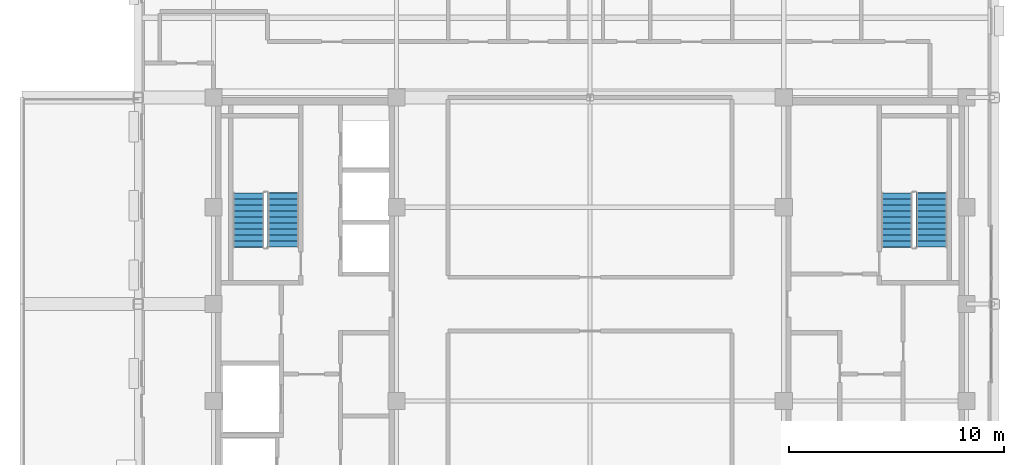
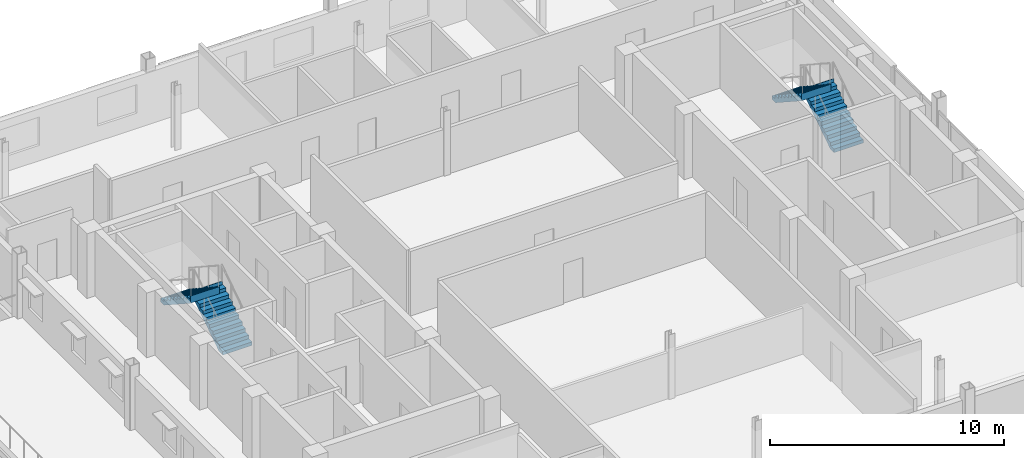
# One storey, part 9 of 14: 4 stair flights, 2 elements without a shape of their own.
"""IFC4 building model written with IfcOpenShell, lengths in metres."""

from ifc_helpers import new_model, si_unit, direction, frame, origin, place, context, subcontext, project, spatial, polyline, outline, extrude, material, type_object, element, aggregate, save


model = new_model("IFC4")

# Units and contexts
model_context = context("Model", 3, precision=1e-05, world=origin(), true_north=direction((0.0, 1.0)))
body_context = subcontext(model_context, "Body", "Model", "MODEL_VIEW")
ifc_project = project(units=[si_unit("LENGTHUNIT", "METRE"), si_unit("AREAUNIT", "SQUARE_METRE"), si_unit("VOLUMEUNIT", "CUBIC_METRE"), si_unit("PLANEANGLEUNIT", "RADIAN"), si_unit("MASSUNIT", "GRAM", prefix="KILO")], contexts=[model_context])

# Site, building, storey
site_placement = place(None, origin())
site = spatial("IfcSite", under=ifc_project, at=site_placement, CompositionType="ELEMENT")
building_placement = place(site_placement, origin())
building = spatial("IfcBuilding", under=site, at=building_placement, Name="Nuvemarco Arch Tower", CompositionType="ELEMENT")
storey_placement = place(building_placement, frame((0.0, 0.0, 245.64990234375)))
storey = spatial("IfcBuildingStorey", under=building, at=storey_placement, Name="L65", CompositionType="ELEMENT", Elevation=245.64990234375)

# Stair, stair flights
ifc_material = material(Name="Precast concrete C45/55", Category="concrete")
stair_type = type_object("IfcStairType", Name="ST-CORE-20R", PredefinedType="HALF_TURN_STAIR", material=ifc_material)
stair_1_placement = place(storey_placement, origin())
stair_1 = element("IfcStair", 1, at=stair_1_placement, inside=storey, type_object=stair_type, Name="L65 Protected Exit Stair ST-1", PredefinedType="HALF_TURN_STAIR")
stair_flight_type = type_object("IfcStairFlightType", Name="SF-CORE-20R", PredefinedType="STRAIGHT", material=ifc_material)
stair_flight_1_placement = place(storey_placement, frame((-14.264892578125, 2.64990234375, 0.0), z_axis=(0.0, 0.0, 1.0), x_axis=(0.0, 1.0, 0.0)))
stair_flight_1 = element("IfcStairFlight", 2, at=stair_flight_1_placement, type_object=stair_flight_type, Name="ST-20R flight 1", NumberOfRisers=10, NumberOfTreads=9, PredefinedType="STRAIGHT", RiserHeight=0.1825, TreadLength=0.28, context=body_context, shape_type="SweptSolid", body=[
    extrude(outline(polyline([(0.0, 0.0), (0.0, 0.1826171875), (0.280029296875, 0.1826171875), (0.280029296875, 0.364990234375), (0.56005859375, 0.364990234375), (0.56005859375, 0.547607421875), (0.840087890625, 0.547607421875), (0.840087890625, 0.72998046875), (1.1201171875, 0.72998046875), (1.1201171875, 0.91259765625), (1.39990234375, 0.91259765625), (1.39990234375, 1.094970703125), (1.679931640625, 1.094970703125), (1.679931640625, 1.277587890625), (1.9599609375, 1.277587890625), (1.9599609375, 1.4599609375), (2.239990234375, 1.4599609375), (2.239990234375, 1.642578125), (2.52001953125, 1.642578125), (2.52001953125, 1.824951171875), (2.5400390625, 1.824951171875), (2.5400390625, 1.45166015625), (0.312744140625, 0.0), (0.0, 0.0)])), frame((0.0, 0.72509765625, 0.0), z_axis=(0.0, -1.0, 0.0), x_axis=(1.0, 0.0, 0.0)), (0.0, 0.0, 1.0), 1.449951171875),
])
stair_flight_2_placement = place(storey_placement, frame((-15.875, 5.169921875, 1.8251953125), z_axis=(0.0, 0.0, 1.0), x_axis=(0.0, -1.0, 0.0)))
stair_flight_2 = element("IfcStairFlight", 3, at=stair_flight_2_placement, type_object=stair_flight_type, Name="ST-20R flight 2", NumberOfRisers=10, NumberOfTreads=9, PredefinedType="STRAIGHT", RiserHeight=0.1825, TreadLength=0.28, context=body_context, shape_type="SweptSolid", body=[
    extrude(outline(polyline([(0.0, 0.0), (0.0, 0.1826171875), (0.280029296875, 0.1826171875), (0.280029296875, 0.364990234375), (0.56005859375, 0.364990234375), (0.56005859375, 0.547607421875), (0.840087890625, 0.547607421875), (0.840087890625, 0.72998046875), (1.1201171875, 0.72998046875), (1.1201171875, 0.91259765625), (1.39990234375, 0.91259765625), (1.39990234375, 1.094970703125), (1.679931640625, 1.094970703125), (1.679931640625, 1.277587890625), (1.9599609375, 1.277587890625), (1.9599609375, 1.4599609375), (2.239990234375, 1.4599609375), (2.239990234375, 1.642578125), (2.52001953125, 1.642578125), (2.52001953125, 1.824951171875), (2.5400390625, 1.824951171875), (2.5400390625, 1.45166015625), (0.312744140625, 0.0), (0.0, 0.0)])), frame((0.0, 0.72509765625, 0.0), z_axis=(0.0, -1.0, 0.0), x_axis=(1.0, 0.0, 0.0)), (0.0, 0.0, 1.0), 1.449951171875),
])
aggregate(stair_1, [stair_flight_1, stair_flight_2])

stair_2_placement = place(storey_placement, origin())
stair_2 = element("IfcStair", 4, at=stair_2_placement, inside=storey, type_object=stair_type, Name="L65 Protected Exit Stair ST-2", PredefinedType="HALF_TURN_STAIR")
stair_flight_3_placement = place(storey_placement, frame((15.875, 2.64990234375, 0.0), z_axis=(0.0, 0.0, 1.0), x_axis=(0.0, 1.0, 0.0)))
stair_flight_3 = element("IfcStairFlight", 5, at=stair_flight_3_placement, type_object=stair_flight_type, Name="ST-20R flight 1", NumberOfRisers=10, NumberOfTreads=9, PredefinedType="STRAIGHT", RiserHeight=0.1825, TreadLength=0.28, context=body_context, shape_type="SweptSolid", body=[
    extrude(outline(polyline([(0.0, 0.0), (0.0, 0.1826171875), (0.280029296875, 0.1826171875), (0.280029296875, 0.364990234375), (0.56005859375, 0.364990234375), (0.56005859375, 0.547607421875), (0.840087890625, 0.547607421875), (0.840087890625, 0.72998046875), (1.1201171875, 0.72998046875), (1.1201171875, 0.91259765625), (1.39990234375, 0.91259765625), (1.39990234375, 1.094970703125), (1.679931640625, 1.094970703125), (1.679931640625, 1.277587890625), (1.9599609375, 1.277587890625), (1.9599609375, 1.4599609375), (2.239990234375, 1.4599609375), (2.239990234375, 1.642578125), (2.52001953125, 1.642578125), (2.52001953125, 1.824951171875), (2.5400390625, 1.824951171875), (2.5400390625, 1.45166015625), (0.312744140625, 0.0), (0.0, 0.0)])), frame((0.0, 0.72509765625, 0.0), z_axis=(0.0, -1.0, 0.0), x_axis=(1.0, 0.0, 0.0)), (0.0, 0.0, 1.0), 1.449951171875),
])
stair_flight_4_placement = place(storey_placement, frame((14.264892578125, 5.169921875, 1.8251953125), z_axis=(0.0, 0.0, 1.0), x_axis=(0.0, -1.0, 0.0)))
stair_flight_4 = element("IfcStairFlight", 6, at=stair_flight_4_placement, type_object=stair_flight_type, Name="ST-20R flight 2", NumberOfRisers=10, NumberOfTreads=9, PredefinedType="STRAIGHT", RiserHeight=0.1825, TreadLength=0.28, context=body_context, shape_type="SweptSolid", body=[
    extrude(outline(polyline([(0.0, 0.0), (0.0, 0.1826171875), (0.280029296875, 0.1826171875), (0.280029296875, 0.364990234375), (0.56005859375, 0.364990234375), (0.56005859375, 0.547607421875), (0.840087890625, 0.547607421875), (0.840087890625, 0.72998046875), (1.1201171875, 0.72998046875), (1.1201171875, 0.91259765625), (1.39990234375, 0.91259765625), (1.39990234375, 1.094970703125), (1.679931640625, 1.094970703125), (1.679931640625, 1.277587890625), (1.9599609375, 1.277587890625), (1.9599609375, 1.4599609375), (2.239990234375, 1.4599609375), (2.239990234375, 1.642578125), (2.52001953125, 1.642578125), (2.52001953125, 1.824951171875), (2.5400390625, 1.824951171875), (2.5400390625, 1.45166015625), (0.312744140625, 0.0), (0.0, 0.0)])), frame((0.0, 0.72509765625, 0.0), z_axis=(0.0, -1.0, 0.0), x_axis=(1.0, 0.0, 0.0)), (0.0, 0.0, 1.0), 1.449951171875),
])
aggregate(stair_2, [stair_flight_3, stair_flight_4])

save(model, "model.ifc")
